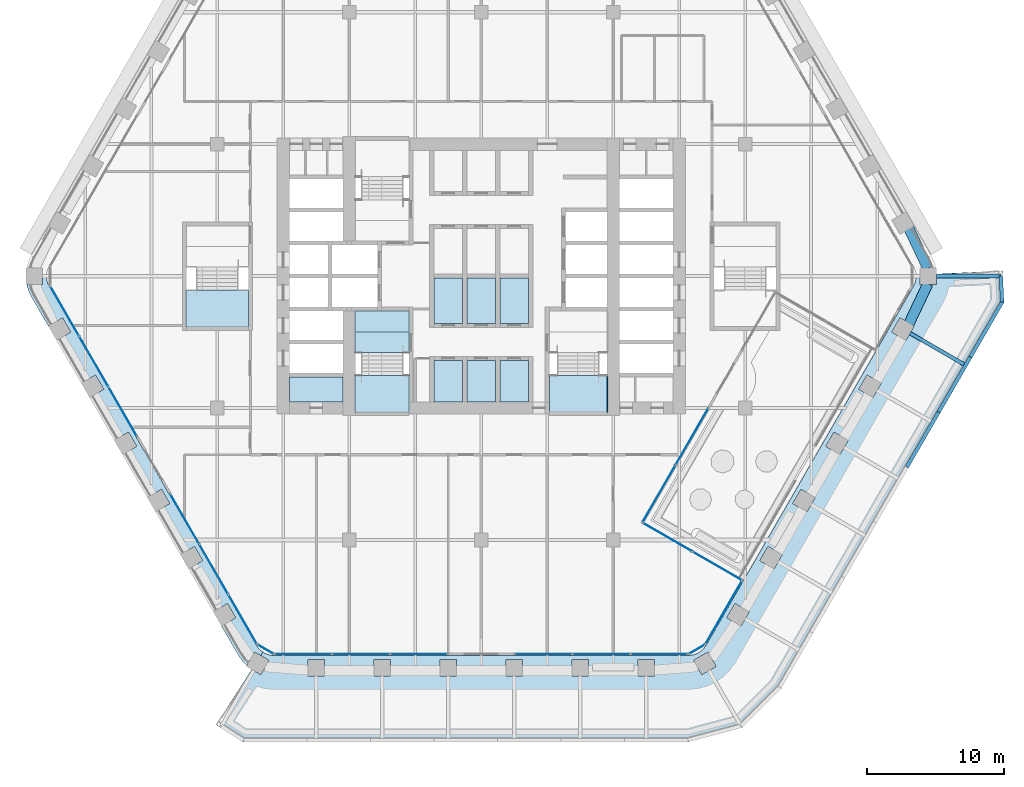
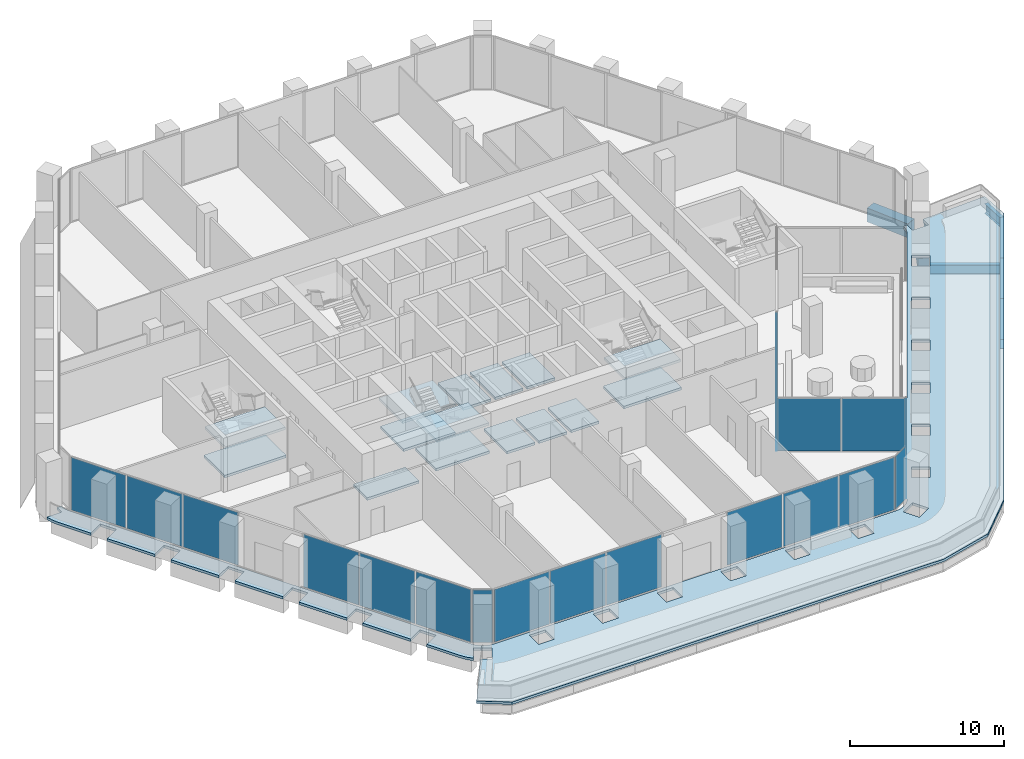
# One storey, part 11 of 25: 19 plates, 18 slabs, 8 beams, 12 elements without a shape of their own.
"""IFC4 building model written with IfcOpenShell, lengths in metres."""

from ifc_helpers import new_model, si_unit, direction, frame, origin, origin_2d, place, context, subcontext, project, spatial, polyline, rectangle, i_section, outline, extrude, material, layer, layer_set, material_profile, profile_set, type_object, element, aggregate, save


model = new_model("IFC4")

# Units and contexts
model_context = context("Model", 3, precision=1e-05, world=origin(), true_north=direction((0.0, 1.0)))
body_context = subcontext(model_context, "Body", "Model", "MODEL_VIEW")
ifc_project = project(units=[si_unit("LENGTHUNIT", "METRE"), si_unit("AREAUNIT", "SQUARE_METRE"), si_unit("VOLUMEUNIT", "CUBIC_METRE"), si_unit("PLANEANGLEUNIT", "RADIAN"), si_unit("MASSUNIT", "GRAM", prefix="KILO")], contexts=[model_context])

# Site, building, storey
site_placement = place(None, origin())
site = spatial("IfcSite", under=ifc_project, at=site_placement, CompositionType="ELEMENT")
building_placement = place(site_placement, origin())
building = spatial("IfcBuilding", under=site, at=building_placement, Name="Kolab Exchange Tower", CompositionType="ELEMENT")
storey_placement = place(building_placement, frame((0.0, 0.0, 91.39990234375)))
storey = spatial("IfcBuildingStorey", under=building, at=storey_placement, Name="L17", CompositionType="ELEMENT", Elevation=91.39990234375)

# Beams
ifc_material_1 = material(Name="Steel S355", Category="steel")
ifc_material_profile_1 = material_profile(ifc_material_1, i_section(OverallWidth=0.26708984375, OverallDepth=0.761962890625, WebThickness=0.014404296875, FlangeThickness=0.021484375, at=origin_2d()), Name="W760X173")
ifc_profile_set_1 = profile_set([ifc_material_profile_1], Name="Steel S355")
beam_type_1 = type_object("IfcBeamType", Name="FLOOR GIRDER W760X173", PredefinedType="BEAM", material=ifc_profile_set_1)
beam_1_placement = place(storey_placement, frame((33.135986328125, 0.0, -0.640869140625), z_axis=(1.0, 0.0, 0.0), x_axis=(0.0, 1.0, 0.0)))
element("IfcBeam", 1, at=beam_1_placement, inside=storey, type_object=beam_type_1, Name="beam/L17/ledge/rib-00", PredefinedType="BEAM", context=body_context, shape_type="SweptSolid", body=[
    extrude(i_section(OverallWidth=0.26708984375, OverallDepth=0.761962890625, WebThickness=0.014404296875, FlangeThickness=0.021484375, at=origin_2d()), origin(), (0.0, 0.0, 1.0), 4.66650390625),
])
beam_2_placement = place(storey_placement, frame((31.199951171875, -4.156982421875, -0.640869140625), z_axis=(0.866043881399, -0.499967994467, 0.0), x_axis=(0.499967994467, 0.866043881399, 0.0)))
element("IfcBeam", 2, at=beam_2_placement, inside=storey, type_object=beam_type_1, Name="beam/L17/ledge/rib-01", PredefinedType="BEAM", context=body_context, shape_type="SweptSolid", body=[
    extrude(i_section(OverallWidth=0.26708984375, OverallDepth=0.761962890625, WebThickness=0.014404296875, FlangeThickness=0.021484375, at=origin_2d()), origin(), (0.0, 0.0, 1.0), 4.532958984375),
])
beam_3_placement = place(storey_placement, frame((37.802490234375, 0.0, -0.640869140625), z_axis=(0.050059880205, -0.998746218213, 0.0), x_axis=(0.998746218213, 0.050059880205, 0.0)))
element("IfcBeam", 3, at=beam_3_placement, inside=storey, type_object=beam_type_1, Name="beam/L17/ledge/edge-00", PredefinedType="BEAM", context=body_context, shape_type="SweptSolid", body=[
    extrude(i_section(OverallWidth=0.26708984375, OverallDepth=0.761962890625, WebThickness=0.014404296875, FlangeThickness=0.021484375, at=origin_2d()), origin(), (0.0, 0.0, 1.0), 1.892333984375),
])
for number, where, z_axis, x_axis, name in (
    (4, (37.897216796875, -1.889892578125, -0.640869140625), (-0.499978438088, -0.866037852202, 0.0), (0.866037852202, -0.499978438088, 0.0), "beam/L17/ledge/edge-01"),
    (5, (35.585693359375, -5.893798828125, -0.640869140625), (-0.500018043048, -0.866014986375, 0.0), (0.866014986375, -0.500018043048, 0.0), "beam/L17/ledge/edge-02"),
):
    element("IfcBeam", number, at=place(storey_placement, frame(where, z_axis=z_axis, x_axis=x_axis)), inside=storey, type_object=beam_type_1, Name=name, PredefinedType="BEAM", context=body_context, shape_type="SweptSolid", body=[
        extrude(i_section(OverallWidth=0.26708984375, OverallDepth=0.761962890625, WebThickness=0.014404296875, FlangeThickness=0.021484375, at=origin_2d()), origin(), (0.0, 0.0, 1.0), 4.623291015625),
    ])
beam_4_placement = place(storey_placement, frame((33.27392578125, -9.897705078125, -0.640869140625), z_axis=(-0.500001304485, -0.866024650639, 0.0), x_axis=(0.866024650639, -0.500001304485, 0.0)))
element("IfcBeam", 6, at=beam_4_placement, inside=storey, type_object=beam_type_1, Name="beam/L17/ledge/edge-03", PredefinedType="BEAM", context=body_context, shape_type="SweptSolid", body=[
    extrude(i_section(OverallWidth=0.26708984375, OverallDepth=0.761962890625, WebThickness=0.014404296875, FlangeThickness=0.021484375, at=origin_2d()), origin(), (0.0, 0.0, 1.0), 4.623046875),
])
ifc_material_2 = material(Name="Concrete C70/85", Category="concrete")
ifc_material_profile_2 = material_profile(ifc_material_2, rectangle(XDim=0.75, YDim=1.10009765625, at=origin_2d()), Name="RC750X1100")
ifc_profile_set_2 = profile_set([ifc_material_profile_2], Name="Concrete C70/85")
beam_type_2 = type_object("IfcBeamType", Name="SPANDREL BEAM 750X1100 C70/85", PredefinedType="BEAM", material=ifc_profile_set_2)
for number, where, z_axis, x_axis, name in (
    (7, (31.116455078125, 3.4619140625, -0.75), (0.429041292193, -0.903284877319, 0.0), (0.903284877319, 0.429041292193, 0.0), "beam/L17/sp/F2-07"),
    (8, (32.492919921875, -0.56396484375, -0.75), (-0.429041292193, -0.903284877319, 0.0), (0.903284877319, -0.429041292193, 0.0), "beam/L17/sp/F3-01"),
):
    element("IfcBeam", number, at=place(storey_placement, frame(where, z_axis=z_axis, x_axis=x_axis)), inside=storey, type_object=beam_type_2, Name=name, PredefinedType="BEAM", context=body_context, shape_type="SweptSolid", body=[
        extrude(rectangle(XDim=0.75, YDim=1.10009765625, at=origin_2d()), origin(), (0.0, 0.0, 1.0), 3.208251953125),
    ])

# Slabs
ifc_material_3 = material(Name="Concrete C35/45", Category="concrete")
ifc_layer_1 = layer(ifc_material_3, 0.199951171875)
ifc_layer_set_1 = layer_set([ifc_layer_1], Name="Concrete C35/45")
slab_type_1 = type_object("IfcSlabType", Name="FLOOR SLAB 200", PredefinedType="FLOOR", material=ifc_layer_set_1)
slab_1_placement = place(storey_placement, frame((0.0, 0.0, -0.199951171875)))
element("IfcSlab", 9, at=slab_1_placement, inside=storey, type_object=slab_type_1, Name="slab/L17/floor/2", PredefinedType="FLOOR", context=body_context, shape_type="SweptSolid", body=[
    extrude(outline(polyline([(-10.050048828125, -9.14990234375), (-10.050048828125, -7.35009765625), (-13.949951171875, -7.35009765625), (-13.949951171875, -9.14990234375), (-10.050048828125, -9.14990234375)])), origin(), (0.0, 0.0, 1.0), 0.199951171875),
])
slab_2_placement = place(storey_placement, frame((0.0, 0.0, -0.199951171875)))
element("IfcSlab", 10, at=slab_2_placement, inside=storey, type_object=slab_type_1, Name="slab/L17/floor/6", PredefinedType="FLOOR", context=body_context, shape_type="SweptSolid", body=[
    extrude(outline(polyline([(-1.35009765625, -3.449951171875), (-1.35009765625, -0.14990234375), (-3.449951171875, -0.14990234375), (-3.449951171875, -3.449951171875), (-1.35009765625, -3.449951171875)])), origin(), (0.0, 0.0, 1.0), 0.199951171875),
])
slab_3_placement = place(storey_placement, frame((0.0, 0.0, -0.199951171875)))
element("IfcSlab", 11, at=slab_3_placement, inside=storey, type_object=slab_type_1, Name="slab/L17/floor/8", PredefinedType="FLOOR", context=body_context, shape_type="SweptSolid", body=[
    extrude(outline(polyline([(-1.050048828125, -0.14990234375), (-1.050048828125, -3.449951171875), (1.050048828125, -3.449951171875), (1.050048828125, -0.14990234375), (-1.050048828125, -0.14990234375)])), origin(), (0.0, 0.0, 1.0), 0.199951171875),
])
slab_4_placement = place(storey_placement, frame((0.0, 0.0, -0.199951171875)))
element("IfcSlab", 12, at=slab_4_placement, inside=storey, type_object=slab_type_1, Name="slab/L17/floor/10", PredefinedType="FLOOR", context=body_context, shape_type="SweptSolid", body=[
    extrude(outline(polyline([(1.35009765625, -3.449951171875), (3.449951171875, -3.449951171875), (3.449951171875, -0.14990234375), (1.35009765625, -0.14990234375), (1.35009765625, -3.449951171875)])), origin(), (0.0, 0.0, 1.0), 0.199951171875),
])
slab_5_placement = place(storey_placement, frame((0.0, 0.0, -0.199951171875)))
element("IfcSlab", 13, at=slab_5_placement, inside=storey, type_object=slab_type_1, Name="slab/L17/floor/14", PredefinedType="FLOOR", context=body_context, shape_type="SweptSolid", body=[
    extrude(outline(polyline([(-1.35009765625, -6.14990234375), (-3.449951171875, -6.14990234375), (-3.449951171875, -9.14990234375), (-1.35009765625, -9.14990234375), (-1.35009765625, -6.14990234375)])), origin(), (0.0, 0.0, 1.0), 0.199951171875),
])
slab_6_placement = place(storey_placement, frame((0.0, 0.0, -0.199951171875)))
element("IfcSlab", 14, at=slab_6_placement, inside=storey, type_object=slab_type_1, Name="slab/L17/floor/16", PredefinedType="FLOOR", context=body_context, shape_type="SweptSolid", body=[
    extrude(outline(polyline([(1.050048828125, -6.14990234375), (-1.050048828125, -6.14990234375), (-1.050048828125, -9.14990234375), (1.050048828125, -9.14990234375), (1.050048828125, -6.14990234375)])), origin(), (0.0, 0.0, 1.0), 0.199951171875),
])
slab_7_placement = place(storey_placement, frame((0.0, 0.0, -0.199951171875)))
element("IfcSlab", 15, at=slab_7_placement, inside=storey, type_object=slab_type_1, Name="slab/L17/floor/18", PredefinedType="FLOOR", context=body_context, shape_type="SweptSolid", body=[
    extrude(outline(polyline([(1.35009765625, -6.14990234375), (1.35009765625, -9.14990234375), (3.449951171875, -9.14990234375), (3.449951171875, -6.14990234375), (1.35009765625, -6.14990234375)])), origin(), (0.0, 0.0, 1.0), 0.199951171875),
])
slab_8_placement = place(storey_placement, frame((0.0, 0.0, -0.199951171875)))
element("IfcSlab", 16, at=slab_8_placement, inside=storey, type_object=slab_type_1, Name="slab/L17/floor/21", PredefinedType="FLOOR", context=body_context, shape_type="SweptSolid", body=[
    extrude(outline(polyline([(-9.14990234375, -2.550048828125), (-9.14990234375, -4.050048828125), (-5.25, -4.050048828125), (-5.25, -2.550048828125), (-7.25, -2.550048828125), (-7.550048828125, -2.550048828125), (-9.14990234375, -2.550048828125)])), origin(), (0.0, 0.0, 1.0), 0.199951171875),
])
ifc_layer_2 = layer(ifc_material_3, 0.199951171875)
ifc_layer_set_2 = layer_set([ifc_layer_2], Name="Concrete C35/45")
slab_type_2 = type_object("IfcSlabType", Name="LOGGIA SLAB 200", PredefinedType="FLOOR", material=ifc_layer_set_2)
slab_9_placement = place(storey_placement, frame((0.0, 0.0, -0.199951171875)))
element("IfcSlab", 17, at=slab_9_placement, inside=storey, type_object=slab_type_2, Name="slab/L17/loggia/4-0", PredefinedType="FLOOR", context=body_context, shape_type="SweptSolid", body=[
    extrude(outline(polyline([(-31.613037109375, -0.260498046875), (-31.635986328125, 0.0), (-31.935791015625, 0.0), (-31.935791015625, -0.60009765625), (-33.069091796875, -0.60009765625), (-32.955078125, -1.026123046875), (-32.73388671875, -1.5), (-31.5, -3.63720703125), (-30.460693359375, -3.037353515625), (-29.86083984375, -4.076416015625), (-30.89990234375, -4.676513671875), (-29.10009765625, -7.794189453125), (-28.060791015625, -7.1943359375), (-27.460693359375, -8.2333984375), (-28.5, -8.83349609375), (-26.699951171875, -11.951171875), (-25.660888671875, -11.35107421875), (-25.060791015625, -12.390380859375), (-26.10009765625, -12.990478515625), (-24.300048828125, -16.108154296875), (-23.2607421875, -15.508056640625), (-22.660888671875, -16.54736328125), (-23.699951171875, -17.147216796875), (-21.89990234375, -20.264892578125), (-20.86083984375, -19.6650390625), (-20.2607421875, -20.704345703125), (-21.300048828125, -21.30419921875), (-19.5, -24.421875), (-18.460693359375, -23.822021484375), (-17.86083984375, -24.861083984375), (-18.89990234375, -25.461181640625), (-17.666015625, -27.598388671875), (-17.365966796875, -28.02685546875), (-17.05419921875, -28.338623046875), (-16.487548828125, -27.357177734375), (-16.046875, -27.61181640625), (-15.880126953125, -27.35400390625), (-16.0322265625, -27.24755859375), (-16.217041015625, -27.062744140625), (-16.366943359375, -26.848388671875), (-31.434814453125, -0.75), (-31.54541015625, -0.512939453125), (-31.613037109375, -0.260498046875)])), origin(), (0.0, 0.0, 1.0), 0.199951171875),
])

# Stair, slabs
ifc_material_4 = material(Name="Concrete C50/60", Category="concrete")
stair_type_1 = type_object("IfcStairType", Name="STAIR ST3 RISER 160.7", PredefinedType="DOUBLE_RETURN_STAIR", material=ifc_material_4)
stair_1_placement = place(storey_placement, origin())
stair_1 = element("IfcStair", 18, at=stair_1_placement, inside=storey, type_object=stair_type_1, Name="Stair 3", PredefinedType="DOUBLE_RETURN_STAIR")
ifc_layer_3 = layer(ifc_material_4, 0.199951171875)
ifc_layer_set_3 = layer_set([ifc_layer_3], Name="Concrete C50/60")
slab_type_3 = type_object("IfcSlabType", Name="STAIR LANDING 200", PredefinedType="LANDING", material=ifc_layer_set_3)
slab_10_placement = place(storey_placement, frame((0.0, 0.0, -0.199951171875)))
slab_10 = element("IfcSlab", 19, at=slab_10_placement, type_object=slab_type_3, Name="ST3 landing 1", PredefinedType="LANDING", context=body_context, shape_type="SweptSolid", body=[
    extrude(outline(polyline([(-9.14990234375, -5.550048828125), (-5.25, -5.550048828125), (-5.25, -4.050048828125), (-9.14990234375, -4.050048828125), (-9.14990234375, -5.550048828125)])), origin(), (0.0, 0.0, 1.0), 0.199951171875),
])
slab_11_placement = place(storey_placement, frame((0.0, 0.0, 0.925048828125)))
slab_11 = element("IfcSlab", 20, at=slab_11_placement, type_object=slab_type_3, Name="ST3 landing 2", PredefinedType="LANDING", context=body_context, shape_type="SweptSolid", body=[
    extrude(outline(polyline([(-9.2099609375, -9.909912109375), (-5.18994140625, -9.909912109375), (-5.18994140625, -7.22998046875), (-9.2099609375, -7.22998046875), (-9.2099609375, -9.909912109375)])), origin(), (0.0, 0.0, 1.0), 0.199951171875),
])
slab_12_placement = place(storey_placement, frame((0.0, 0.0, 2.050048828125)))
slab_12 = element("IfcSlab", 21, at=slab_12_placement, type_object=slab_type_3, Name="ST3 landing 3", PredefinedType="LANDING", context=body_context, shape_type="SweptSolid", body=[
    extrude(outline(polyline([(-9.2099609375, -5.550048828125), (-5.18994140625, -5.550048828125), (-5.18994140625, -2.489990234375), (-9.2099609375, -2.489990234375), (-9.2099609375, -5.550048828125)])), origin(), (0.0, 0.0, 1.0), 0.199951171875),
])
slab_13_placement = place(storey_placement, frame((0.0, 0.0, 3.175048828125)))
slab_13 = element("IfcSlab", 22, at=slab_13_placement, type_object=slab_type_3, Name="ST3 landing 4", PredefinedType="LANDING", context=body_context, shape_type="SweptSolid", body=[
    extrude(outline(polyline([(-9.14990234375, -9.909912109375), (-5.25, -9.909912109375), (-5.25, -7.22998046875), (-9.14990234375, -7.22998046875), (-9.14990234375, -9.909912109375)])), origin(), (0.0, 0.0, 1.0), 0.199951171875),
])
aggregate(stair_1, [slab_10, slab_11, slab_12, slab_13])

stair_type_2 = type_object("IfcStairType", Name="STAIR ST2 RISER 160.7", PredefinedType="DOUBLE_RETURN_STAIR", material=ifc_material_4)
stair_2_placement = place(storey_placement, origin())
stair_2 = element("IfcStair", 23, at=stair_2_placement, inside=storey, type_object=stair_type_2, Name="Stair 2", PredefinedType="DOUBLE_RETURN_STAIR")
slab_14_placement = place(storey_placement, frame((0.0, 0.0, 0.925048828125)))
slab_14 = element("IfcSlab", 24, at=slab_14_placement, type_object=slab_type_3, Name="ST2 landing 2", PredefinedType="LANDING", context=body_context, shape_type="SweptSolid", body=[
    extrude(outline(polyline([(4.889892578125, -9.909912109375), (9.2099609375, -9.909912109375), (9.2099609375, -7.22998046875), (4.889892578125, -7.22998046875), (4.889892578125, -9.909912109375)])), origin(), (0.0, 0.0, 1.0), 0.199951171875),
])
slab_15_placement = place(storey_placement, frame((0.0, 0.0, 3.175048828125)))
slab_15 = element("IfcSlab", 25, at=slab_15_placement, type_object=slab_type_3, Name="ST2 landing 4", PredefinedType="LANDING", context=body_context, shape_type="SweptSolid", body=[
    extrude(outline(polyline([(4.949951171875, -9.909912109375), (9.14990234375, -9.909912109375), (9.14990234375, -7.22998046875), (4.949951171875, -7.22998046875), (4.949951171875, -9.909912109375)])), origin(), (0.0, 0.0, 1.0), 0.199951171875),
])
aggregate(stair_2, [slab_14, slab_15])

stair_type_3 = type_object("IfcStairType", Name="STAIR ST5 RISER 160.7", PredefinedType="DOUBLE_RETURN_STAIR", material=ifc_material_4)
stair_3_placement = place(storey_placement, origin())
stair_3 = element("IfcStair", 26, at=stair_3_placement, inside=storey, type_object=stair_type_3, Name="Stair 5", PredefinedType="DOUBLE_RETURN_STAIR")
slab_16_placement = place(storey_placement, frame((0.0, 0.0, 0.925048828125)))
slab_16 = element("IfcSlab", 27, at=slab_16_placement, type_object=slab_type_3, Name="ST5 landing 2", PredefinedType="LANDING", context=body_context, shape_type="SweptSolid", body=[
    extrude(outline(polyline([(-21.510009765625, -3.7099609375), (-16.889892578125, -3.7099609375), (-16.889892578125, -1.030029296875), (-21.510009765625, -1.030029296875), (-21.510009765625, -3.7099609375)])), origin(), (0.0, 0.0, 1.0), 0.199951171875),
])
slab_17_placement = place(storey_placement, frame((0.0, 0.0, 3.175048828125)))
slab_17 = element("IfcSlab", 28, at=slab_17_placement, type_object=slab_type_3, Name="ST5 landing 4", PredefinedType="LANDING", context=body_context, shape_type="SweptSolid", body=[
    extrude(outline(polyline([(-21.449951171875, -3.7099609375), (-16.949951171875, -3.7099609375), (-16.949951171875, -1.030029296875), (-21.449951171875, -1.030029296875), (-21.449951171875, -3.7099609375)])), origin(), (0.0, 0.0, 1.0), 0.199951171875),
])
aggregate(stair_3, [slab_16, slab_17])

# Slab
ifc_layer_4 = layer(ifc_material_3, 0.199951171875)
ifc_layer_set_4 = layer_set([ifc_layer_4], Name="Concrete C35/45")
slab_type_4 = type_object("IfcSlabType", Name="TERRACE SLAB 200 PLANTED", PredefinedType="ROOF", material=ifc_layer_set_4)
slab_18_placement = place(storey_placement, frame((0.0, 0.0, -0.199951171875)))
element("IfcSlab", 29, at=slab_18_placement, inside=storey, type_object=slab_type_4, Name="Roof terrace", PredefinedType="ROOF", context=body_context, shape_type="SweptSolid", body=[
    extrude(outline(polyline([(-19.29541015625, -32.642333984375), (-17.35107421875, -33.8984375), (15.06787109375, -33.8984375), (18.9677734375, -32.853515625), (18.968017578125, -32.853515625), (21.82275390625, -29.99853515625), (21.822998046875, -29.99853515625), (38.032470703125, -1.9228515625), (38.032470703125, -1.922607421875), (37.916748046875, 0.38916015625), (37.916748046875, 0.389404296875), (33.135986328125, 0.150146484375), (33.135986328125, -0.60009765625), (31.935791015625, -0.60009765625), (31.935791015625, 0.090087890625), (31.62939453125, 0.07470703125), (31.635986328125, 0.000244140625), (31.635986328125, 0.0), (31.635986328125, -0.000244140625), (31.613037109375, -0.26025390625), (31.613037109375, -0.260498046875), (31.613037109375, -0.2607421875), (31.54541015625, -0.512939453125), (31.54541015625, -0.51318359375), (31.43505859375, -0.75), (31.434814453125, -0.75), (16.366943359375, -26.848388671875), (16.366943359375, -26.8486328125), (16.217041015625, -27.0625), (16.217041015625, -27.062744140625), (16.216796875, -27.062744140625), (16.0322265625, -27.247314453125), (16.0322265625, -27.24755859375), (16.031982421875, -27.24755859375), (15.818115234375, -27.3974609375), (15.81787109375, -27.3974609375), (15.5810546875, -27.5078125), (15.5810546875, -27.508056640625), (15.580810546875, -27.508056640625), (15.32861328125, -27.57568359375), (15.328369140625, -27.57568359375), (15.328125, -27.57568359375), (15.068115234375, -27.598388671875), (15.06787109375, -27.598388671875), (-15.06787109375, -27.598388671875), (-15.068115234375, -27.598388671875), (-15.328125, -27.57568359375), (-15.328369140625, -27.57568359375), (-15.32861328125, -27.57568359375), (-15.580810546875, -27.508056640625), (-15.5810546875, -27.508056640625), (-15.5810546875, -27.5078125), (-15.81787109375, -27.3974609375), (-15.818115234375, -27.3974609375), (-15.87939453125, -27.3544921875), (-16.0458984375, -27.6123046875), (-15.4482421875, -27.957275390625), (-16.04833984375, -28.99658203125), (-16.697998046875, -28.62158203125), (-19.29541015625, -32.642333984375)]), holes=[polyline([(-12.60009765625, -27.8984375), (-11.39990234375, -27.8984375), (-11.39990234375, -29.098388671875), (-12.60009765625, -29.098388671875), (-12.60009765625, -27.8984375)]), polyline([(-3.0, -27.8984375), (-1.800048828125, -27.8984375), (-1.800048828125, -29.098388671875), (-3.0, -29.098388671875), (-3.0, -27.8984375)]), polyline([(-7.800048828125, -27.8984375), (-6.60009765625, -27.8984375), (-6.60009765625, -29.098388671875), (-7.800048828125, -29.098388671875), (-7.800048828125, -27.8984375)]), polyline([(6.60009765625, -27.8984375), (7.800048828125, -27.8984375), (7.800048828125, -29.098388671875), (6.60009765625, -29.098388671875), (6.60009765625, -27.8984375)]), polyline([(1.800048828125, -27.8984375), (3.0, -27.8984375), (3.0, -29.098388671875), (1.800048828125, -29.098388671875), (1.800048828125, -27.8984375)]), polyline([(11.39990234375, -27.8984375), (12.60009765625, -27.8984375), (12.60009765625, -29.098388671875), (11.39990234375, -29.098388671875), (11.39990234375, -27.8984375)]), polyline([(16.487548828125, -27.357177734375), (17.087646484375, -28.396484375), (16.04833984375, -28.99658203125), (15.4482421875, -27.957275390625), (16.487548828125, -27.357177734375)]), polyline([(18.460693359375, -23.822021484375), (19.5, -24.421875), (18.89990234375, -25.461181640625), (17.86083984375, -24.861083984375), (18.460693359375, -23.822021484375)]), polyline([(20.2607421875, -20.704345703125), (20.86083984375, -19.6650390625), (21.89990234375, -20.264892578125), (21.300048828125, -21.30419921875), (20.2607421875, -20.704345703125)]), polyline([(22.660888671875, -16.54736328125), (23.2607421875, -15.508056640625), (24.300048828125, -16.108154296875), (23.699951171875, -17.147216796875), (22.660888671875, -16.54736328125)]), polyline([(25.060791015625, -12.390380859375), (25.660888671875, -11.35107421875), (26.699951171875, -11.951171875), (26.10009765625, -12.990478515625), (25.060791015625, -12.390380859375)]), polyline([(27.460693359375, -8.2333984375), (28.060791015625, -7.1943359375), (29.10009765625, -7.794189453125), (28.5, -8.83349609375), (27.460693359375, -8.2333984375)]), polyline([(30.460693359375, -3.037353515625), (31.5, -3.63720703125), (30.89990234375, -4.676513671875), (29.86083984375, -4.076416015625), (30.460693359375, -3.037353515625)])]), origin(), (0.0, 0.0, 1.0), 0.199951171875),
])

# Curtain wall, plates
ifc_material_5 = material(Name="Aluminium EN AW-6063 T6", Category="aluminium")
curtain_wall_type = type_object("IfcCurtainWallType", Name="UNITISED LOWER MID ZONE CURTAIN WALL", PredefinedType="NOTDEFINED", material=ifc_material_5)
curtain_wall_1_placement = place(storey_placement, origin())
curtain_wall_1 = element("IfcCurtainWall", 30, at=curtain_wall_1_placement, inside=storey, type_object=curtain_wall_type, Name="cw/L17/F3-back-2", PredefinedType="NOTDEFINED")
ifc_material_6 = material(Name="Clear insulated glazing unit", Category="glass")
ifc_layer_5 = layer(ifc_material_6, 0.02587890625)
ifc_layer_set_5 = layer_set([ifc_layer_5], Name="Clear insulated glazing unit")
plate_type = type_object("IfcPlateType", Name="UNITISED LOWER MID ZONE GLASS PANEL 26", PredefinedType="CURTAIN_PANEL", material=ifc_layer_set_5)
plate_1_placement = place(storey_placement, frame((15.339599609375, -11.66796875, 0.06005859375), z_axis=(0.0, 0.0, 1.0), x_axis=(-0.499999995919, -0.866025406141, 0.0)))
plate_1 = element("IfcPlate", 31, at=plate_1_placement, type_object=plate_type, Name="CW2 panel 1.1", PredefinedType="CURTAIN_PANEL", context=body_context, shape_type="SweptSolid", body=[
    extrude(rectangle(XDim=4.75, YDim=0.02587890625, at=origin_2d()), origin(), (0.0, 0.0, 1.0), 4.179931640625),
])
plate_2_placement = place(storey_placement, frame((12.9345703125, -15.83349609375, 0.06005859375), z_axis=(0.0, 0.0, 1.0), x_axis=(-0.499999995919, -0.866025406141, 0.0)))
plate_2 = element("IfcPlate", 32, at=plate_2_placement, type_object=plate_type, Name="CW2 panel 2.1", PredefinedType="CURTAIN_PANEL", context=body_context, shape_type="SweptSolid", body=[
    extrude(rectangle(XDim=4.75, YDim=0.02587890625, at=origin_2d()), origin(), (0.0, 0.0, 1.0), 4.179931640625),
])
aggregate(curtain_wall_1, [plate_1, plate_2])

curtain_wall_2_placement = place(storey_placement, origin())
curtain_wall_2 = element("IfcCurtainWall", 33, at=curtain_wall_2_placement, inside=storey, type_object=curtain_wall_type, Name="cw/L17/F3-rr-1", PredefinedType="NOTDEFINED")
plate_3_placement = place(storey_placement, frame((13.548828125, -18.999755859375, 0.06005859375), z_axis=(0.0, 0.0, 1.0), x_axis=(0.866025421884, -0.499999968652, 0.0)))
plate_3 = element("IfcPlate", 34, at=plate_3_placement, type_object=plate_type, Name="CW2 panel 1.1", PredefinedType="CURTAIN_PANEL", context=body_context, shape_type="SweptSolid", body=[
    extrude(rectangle(XDim=4.110107421875, YDim=0.02587890625, at=origin_2d()), origin(), (0.0, 0.0, 1.0), 4.179931640625),
])
plate_4_placement = place(storey_placement, frame((17.16015625, -21.0849609375, 0.06005859375), z_axis=(0.0, 0.0, 1.0), x_axis=(0.866025421884, -0.499999968652, 0.0)))
plate_4 = element("IfcPlate", 35, at=plate_4_placement, type_object=plate_type, Name="CW2 panel 2.1", PredefinedType="CURTAIN_PANEL", context=body_context, shape_type="SweptSolid", body=[
    extrude(rectangle(XDim=4.110107421875, YDim=0.02587890625, at=origin_2d()), origin(), (0.0, 0.0, 1.0), 4.179931640625),
])
aggregate(curtain_wall_2, [plate_3, plate_4])

# Curtain wall, plate
curtain_wall_3_placement = place(storey_placement, origin())
curtain_wall_3 = element("IfcCurtainWall", 36, at=curtain_wall_3_placement, inside=storey, type_object=curtain_wall_type, Name="cw/L17/F3-r-1", PredefinedType="NOTDEFINED")
plate_5_placement = place(storey_placement, frame((17.644775390625, -24.475341796875, 0.06005859375), z_axis=(0.0, 0.0, 1.0), x_axis=(-0.500000046161, -0.866025377133, 0.0)))
plate_5 = element("IfcPlate", 37, at=plate_5_placement, type_object=plate_type, Name="CW2 panel 1.1", PredefinedType="CURTAIN_PANEL", context=body_context, shape_type="SweptSolid", body=[
    extrude(rectangle(XDim=5.26806640625, YDim=0.02587890625, at=origin_2d()), origin(), (0.0, 0.0, 1.0), 4.179931640625),
])
aggregate(curtain_wall_3, [plate_5])

# Curtain wall, plates
curtain_wall_4_placement = place(storey_placement, origin())
curtain_wall_4 = element("IfcCurtainWall", 38, at=curtain_wall_4_placement, inside=storey, type_object=curtain_wall_type, Name="cw/L17/F4-1", PredefinedType="NOTDEFINED")
plate_6_placement = place(storey_placement, frame((12.941650390625, -27.5185546875, 0.06005859375), z_axis=(0.0, 0.0, 1.0), x_axis=(-1.0, 0.0, 0.0)))
plate_6 = element("IfcPlate", 39, at=plate_6_placement, type_object=plate_type, Name="CW2 panel 1.1", PredefinedType="CURTAIN_PANEL", context=body_context, shape_type="SweptSolid", body=[
    extrude(rectangle(XDim=4.132568359375, YDim=0.02587890625, at=origin_2d()), origin(), (0.0, 0.0, 1.0), 4.179931640625),
])
plate_7_placement = place(storey_placement, frame((8.73388671875, -27.5185546875, 0.06005859375), z_axis=(0.0, 0.0, 1.0), x_axis=(-1.0, 0.0, 0.0)))
plate_7 = element("IfcPlate", 40, at=plate_7_placement, type_object=plate_type, Name="CW2 panel 2.1", PredefinedType="CURTAIN_PANEL", context=body_context, shape_type="SweptSolid", body=[
    extrude(rectangle(XDim=4.16259765625, YDim=0.02587890625, at=origin_2d()), origin(), (0.0, 0.0, 1.0), 4.179931640625),
])
plate_8_placement = place(storey_placement, frame((4.5263671875, -27.5185546875, 0.06005859375), z_axis=(0.0, 0.0, 1.0), x_axis=(-1.0, 0.0, 0.0)))
plate_8 = element("IfcPlate", 41, at=plate_8_placement, type_object=plate_type, Name="CW2 panel 3.1", PredefinedType="CURTAIN_PANEL", context=body_context, shape_type="SweptSolid", body=[
    extrude(rectangle(XDim=4.132568359375, YDim=0.02587890625, at=origin_2d()), origin(), (0.0, 0.0, 1.0), 4.179931640625),
])
aggregate(curtain_wall_4, [plate_6, plate_7, plate_8])

curtain_wall_5_placement = place(storey_placement, origin())
curtain_wall_5 = element("IfcCurtainWall", 42, at=curtain_wall_5_placement, inside=storey, type_object=curtain_wall_type, Name="cw/L17/F4-2", PredefinedType="NOTDEFINED")
plate_9_placement = place(storey_placement, frame((-4.5263671875, -27.5185546875, 0.06005859375), z_axis=(0.0, 0.0, 1.0), x_axis=(-1.0, 0.0, 0.0)))
plate_9 = element("IfcPlate", 43, at=plate_9_placement, type_object=plate_type, Name="CW2 panel 1.1", PredefinedType="CURTAIN_PANEL", context=body_context, shape_type="SweptSolid", body=[
    extrude(rectangle(XDim=4.132568359375, YDim=0.02587890625, at=origin_2d()), origin(), (0.0, 0.0, 1.0), 4.179931640625),
])
plate_10_placement = place(storey_placement, frame((-8.73388671875, -27.5185546875, 0.06005859375), z_axis=(0.0, 0.0, 1.0), x_axis=(-1.0, 0.0, 0.0)))
plate_10 = element("IfcPlate", 44, at=plate_10_placement, type_object=plate_type, Name="CW2 panel 2.1", PredefinedType="CURTAIN_PANEL", context=body_context, shape_type="SweptSolid", body=[
    extrude(rectangle(XDim=4.16259765625, YDim=0.02587890625, at=origin_2d()), origin(), (0.0, 0.0, 1.0), 4.179931640625),
])
plate_11_placement = place(storey_placement, frame((-12.941650390625, -27.5185546875, 0.06005859375), z_axis=(0.0, 0.0, 1.0), x_axis=(-1.0, 0.0, 0.0)))
plate_11 = element("IfcPlate", 45, at=plate_11_placement, type_object=plate_type, Name="CW2 panel 3.1", PredefinedType="CURTAIN_PANEL", context=body_context, shape_type="SweptSolid", body=[
    extrude(rectangle(XDim=4.132568359375, YDim=0.02587890625, at=origin_2d()), origin(), (0.0, 0.0, 1.0), 4.179931640625),
])
aggregate(curtain_wall_5, [plate_9, plate_10, plate_11])

curtain_wall_6_placement = place(storey_placement, origin())
curtain_wall_6 = element("IfcCurtainWall", 46, at=curtain_wall_6_placement, inside=storey, type_object=curtain_wall_type, Name="cw/L17/F5-1", PredefinedType="NOTDEFINED")
plate_12_placement = place(storey_placement, frame((-17.36083984375, -24.967041015625, 0.06005859375), z_axis=(0.0, 0.0, 1.0), x_axis=(-0.500000017564, 0.866025393644, 0.0)))
plate_12 = element("IfcPlate", 47, at=plate_12_placement, type_object=plate_type, Name="CW2 panel 1.1", PredefinedType="CURTAIN_PANEL", context=body_context, shape_type="SweptSolid", body=[
    extrude(rectangle(XDim=4.132568359375, YDim=0.02587890625, at=origin_2d()), origin(), (0.0, 0.0, 1.0), 4.179931640625),
])
plate_13_placement = place(storey_placement, frame((-19.464599609375, -21.322998046875, 0.06005859375), z_axis=(0.0, 0.0, 1.0), x_axis=(-0.500000017564, 0.866025393644, 0.0)))
plate_13 = element("IfcPlate", 48, at=plate_13_placement, type_object=plate_type, Name="CW2 panel 2.1", PredefinedType="CURTAIN_PANEL", context=body_context, shape_type="SweptSolid", body=[
    extrude(rectangle(XDim=4.16259765625, YDim=0.02587890625, at=origin_2d()), origin(), (0.0, 0.0, 1.0), 4.179931640625),
])
plate_14_placement = place(storey_placement, frame((-21.568603515625, -17.67919921875, 0.06005859375), z_axis=(0.0, 0.0, 1.0), x_axis=(-0.500000017564, 0.866025393644, 0.0)))
plate_14 = element("IfcPlate", 49, at=plate_14_placement, type_object=plate_type, Name="CW2 panel 3.1", PredefinedType="CURTAIN_PANEL", context=body_context, shape_type="SweptSolid", body=[
    extrude(rectangle(XDim=4.132568359375, YDim=0.02587890625, at=origin_2d()), origin(), (0.0, 0.0, 1.0), 4.179931640625),
])
aggregate(curtain_wall_6, [plate_12, plate_13, plate_14])

curtain_wall_7_placement = place(storey_placement, origin())
curtain_wall_7 = element("IfcCurtainWall", 50, at=curtain_wall_7_placement, inside=storey, type_object=curtain_wall_type, Name="cw/L17/F5-2", PredefinedType="NOTDEFINED")
plate_15_placement = place(storey_placement, frame((-26.0947265625, -9.83935546875, 0.06005859375), z_axis=(0.0, 0.0, 1.0), x_axis=(-0.499999958358, 0.866025427826, 0.0)))
plate_15 = element("IfcPlate", 51, at=plate_15_placement, type_object=plate_type, Name="CW2 panel 1.1", PredefinedType="CURTAIN_PANEL", context=body_context, shape_type="SweptSolid", body=[
    extrude(rectangle(XDim=4.132568359375, YDim=0.02587890625, at=origin_2d()), origin(), (0.0, 0.0, 1.0), 4.179931640625),
])
plate_16_placement = place(storey_placement, frame((-28.19873046875, -6.1953125, 0.06005859375), z_axis=(0.0, 0.0, 1.0), x_axis=(-0.499999958358, 0.866025427826, 0.0)))
plate_16 = element("IfcPlate", 52, at=plate_16_placement, type_object=plate_type, Name="CW2 panel 2.1", PredefinedType="CURTAIN_PANEL", context=body_context, shape_type="SweptSolid", body=[
    extrude(rectangle(XDim=4.16259765625, YDim=0.02587890625, at=origin_2d()), origin(), (0.0, 0.0, 1.0), 4.179931640625),
])
plate_17_placement = place(storey_placement, frame((-30.302490234375, -2.551513671875, 0.06005859375), z_axis=(0.0, 0.0, 1.0), x_axis=(-0.499999958358, 0.866025427826, 0.0)))
plate_17 = element("IfcPlate", 53, at=plate_17_placement, type_object=plate_type, Name="CW2 panel 3.1", PredefinedType="CURTAIN_PANEL", context=body_context, shape_type="SweptSolid", body=[
    extrude(rectangle(XDim=4.132568359375, YDim=0.02587890625, at=origin_2d()), origin(), (0.0, 0.0, 1.0), 4.179931640625),
])
aggregate(curtain_wall_7, [plate_15, plate_16, plate_17])

# Curtain wall, plate
curtain_wall_8_placement = place(storey_placement, origin())
curtain_wall_8 = element("IfcCurtainWall", 54, at=curtain_wall_8_placement, inside=storey, type_object=curtain_wall_type, Name="cw/L17/F3F4-corner", PredefinedType="NOTDEFINED")
plate_18_placement = place(storey_placement, frame((15.682861328125, -27.16357421875, 0.06005859375), z_axis=(0.0, 0.0, 1.0), x_axis=(-0.866025390869, -0.50000002237, 0.0)))
plate_18 = element("IfcPlate", 55, at=plate_18_placement, type_object=plate_type, Name="CW2 panel 1.1", PredefinedType="CURTAIN_PANEL", context=body_context, shape_type="SweptSolid", body=[
    extrude(rectangle(XDim=1.300048828125, YDim=0.02587890625, at=origin_2d()), origin(), (0.0, 0.0, 1.0), 4.179931640625),
])
aggregate(curtain_wall_8, [plate_18])

curtain_wall_9_placement = place(storey_placement, origin())
curtain_wall_9 = element("IfcCurtainWall", 56, at=curtain_wall_9_placement, inside=storey, type_object=curtain_wall_type, Name="cw/L17/F4F5-corner", PredefinedType="NOTDEFINED")
plate_19_placement = place(storey_placement, frame((-15.682861328125, -27.16357421875, 0.06005859375), z_axis=(0.0, 0.0, 1.0), x_axis=(-0.866025390869, 0.50000002237, 0.0)))
plate_19 = element("IfcPlate", 57, at=plate_19_placement, type_object=plate_type, Name="CW2 panel 1.1", PredefinedType="CURTAIN_PANEL", context=body_context, shape_type="SweptSolid", body=[
    extrude(rectangle(XDim=1.300048828125, YDim=0.02587890625, at=origin_2d()), origin(), (0.0, 0.0, 1.0), 4.179931640625),
])
aggregate(curtain_wall_9, [plate_19])

save(model, "model.ifc")
